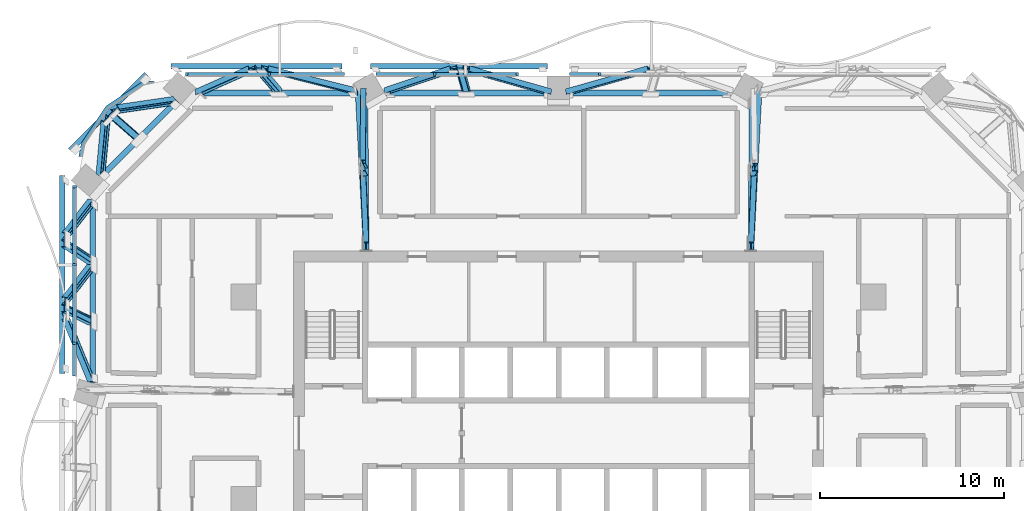
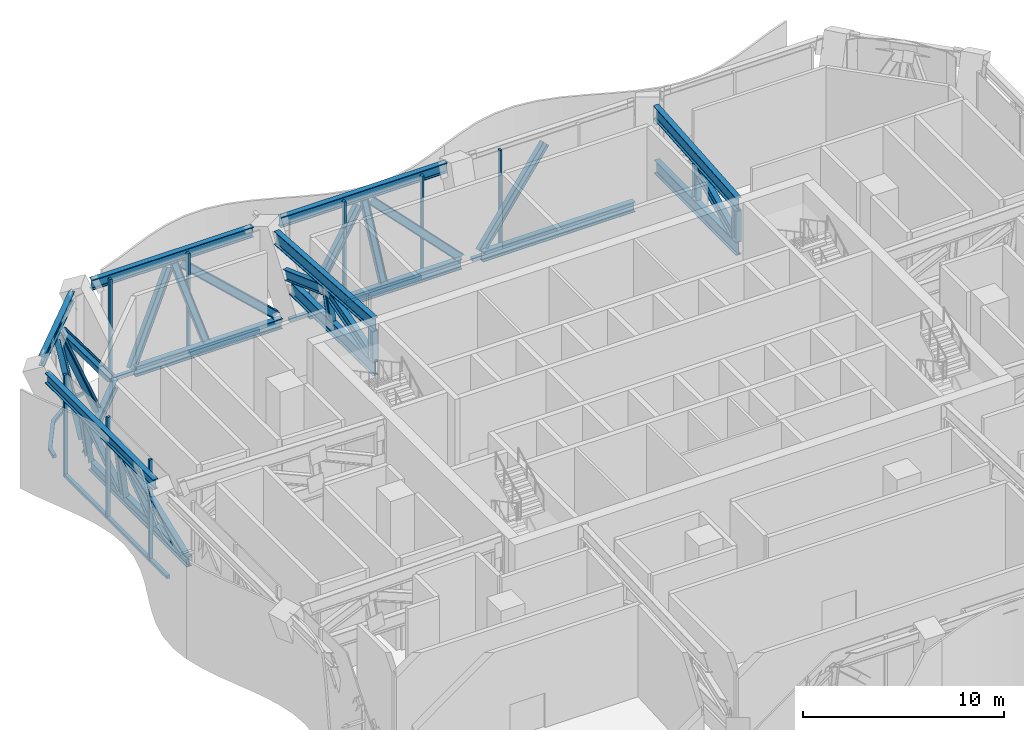
# One storey, part 5 of 26: 52 members, 3 elements without a shape of their own.
"""IFC4 building model written with IfcOpenShell, lengths in metres."""

from ifc_helpers import new_model, si_unit, direction, frame, origin, origin_2d, place, context, subcontext, project, spatial, polyline, rectangle, i_section, outline, extrude, material, material_profile, profile_set, type_object, element, aggregate, save


model = new_model("IFC4")

# Units and contexts
model_context = context("Model", 3, precision=1e-05, world=origin(), true_north=direction((0.0, 1.0)))
body_context = subcontext(model_context, "Body", "Model", "MODEL_VIEW")
ifc_project = project(units=[si_unit("LENGTHUNIT", "METRE"), si_unit("AREAUNIT", "SQUARE_METRE"), si_unit("VOLUMEUNIT", "CUBIC_METRE"), si_unit("PLANEANGLEUNIT", "RADIAN"), si_unit("MASSUNIT", "GRAM", prefix="KILO")], contexts=[model_context])

# Site, building, storey
site_placement = place(None, origin())
site = spatial("IfcSite", under=ifc_project, at=site_placement, CompositionType="ELEMENT")
building_placement = place(site_placement, origin())
building = spatial("IfcBuilding", under=site, at=building_placement, Name="Mopane Tessera Tower", CompositionType="ELEMENT")
storey_placement = place(building_placement, frame((0.0, 0.0, 205.0)))
storey = spatial("IfcBuildingStorey", under=building, at=storey_placement, Name="L43", CompositionType="ELEMENT", Elevation=205.0)

# Curtain wall, members
ifc_material_1 = material(Name="Aluminium frame", Category="aluminium")
curtain_wall_type = type_object("IfcCurtainWallType", Name="Plant floor unitised wall", PredefinedType="NOTDEFINED", material=ifc_material_1)
curtain_wall_1_placement = place(storey_placement, origin())
curtain_wall_1 = element("IfcCurtainWall", 1, at=curtain_wall_1_placement, inside=storey, type_object=curtain_wall_type, Name="e:cw:L43:N:0", PredefinedType="NOTDEFINED")
ifc_material_2 = material(Name="Aluminium frame", Category="aluminium")
ifc_material_profile_1 = material_profile(ifc_material_2, rectangle(XDim=0.139892578125, YDim=0.199951171875, at=origin_2d()))
ifc_profile_set_1 = profile_set([ifc_material_profile_1], Name="Aluminium frame")
member_type_1 = type_object("IfcMemberType", Name="Aluminium mullion 140 x 200", PredefinedType="MULLION", material=ifc_profile_set_1)
member_1_placement = place(storey_placement, frame((2.244384765625, 23.10009765625, -0.60009765625), z_axis=(0.0, 0.0, 1.0), x_axis=(-1.0, 0.0, 0.0)))
member_1 = element("IfcMember", 2, at=member_1_placement, type_object=member_type_1, Name="e:cw:L43:N:0:mu4", PredefinedType="MULLION", context=body_context, shape_type="SweptSolid", body=[
    extrude(rectangle(XDim=0.139892578125, YDim=0.199951171875, at=origin_2d()), origin(), (0.0, 0.0, 1.0), 6.2001953125),
])
member_2_placement = place(storey_placement, frame((-2.244384765625, 23.10009765625, -0.60009765625), z_axis=(0.0, 0.0, 1.0), x_axis=(-1.0, 0.0, 0.0)))
member_2 = element("IfcMember", 3, at=member_2_placement, type_object=member_type_1, Name="e:cw:L43:N:0:mu5", PredefinedType="MULLION", context=body_context, shape_type="SweptSolid", body=[
    extrude(rectangle(XDim=0.139892578125, YDim=0.199951171875, at=origin_2d()), origin(), (0.0, 0.0, 1.0), 6.2001953125),
])
member_3_placement = place(storey_placement, frame((-6.7333984375, 23.10009765625, -0.60009765625), z_axis=(0.0, 0.0, 1.0), x_axis=(-1.0, 0.0, 0.0)))
member_3 = element("IfcMember", 4, at=member_3_placement, type_object=member_type_1, Name="e:cw:L43:N:0:mu6", PredefinedType="MULLION", context=body_context, shape_type="SweptSolid", body=[
    extrude(rectangle(XDim=0.139892578125, YDim=0.199951171875, at=origin_2d()), origin(), (0.0, 0.0, 1.0), 6.2001953125),
])
member_4_placement = place(storey_placement, frame((-15.711181640625, 23.10009765625, -0.60009765625), z_axis=(0.0, 0.0, 1.0), x_axis=(-1.0, 0.0, 0.0)))
member_4 = element("IfcMember", 5, at=member_4_placement, type_object=member_type_1, Name="e:cw:L43:N:0:mu8", PredefinedType="MULLION", context=body_context, shape_type="SweptSolid", body=[
    extrude(rectangle(XDim=0.139892578125, YDim=0.199951171875, at=origin_2d()), origin(), (0.0, 0.0, 1.0), 6.2001953125),
])
member_5_placement = place(storey_placement, frame((-20.199951171875, 23.10009765625, -0.60009765625), z_axis=(0.0, 0.0, 1.0), x_axis=(-1.0, 0.0, 0.0)))
member_5 = element("IfcMember", 6, at=member_5_placement, type_object=member_type_1, Name="e:cw:L43:N:0:mu9", PredefinedType="MULLION", context=body_context, shape_type="SweptSolid", body=[
    extrude(rectangle(XDim=0.139892578125, YDim=0.199951171875, at=origin_2d()), origin(), (0.0, 0.0, 1.0), 6.2001953125),
])

curtain_wall_2_placement = place(storey_placement, origin())
curtain_wall_2 = element("IfcCurtainWall", 7, at=curtain_wall_2_placement, inside=storey, type_object=curtain_wall_type, Name="e:cw:L43:W:0", PredefinedType="NOTDEFINED")
member_6_placement = place(storey_placement, frame((-26.300048828125, 17.0, -0.60009765625), z_axis=(0.0, 0.0, 1.0), x_axis=(0.0, -1.0, 0.0)))
member_6 = element("IfcMember", 8, at=member_6_placement, type_object=member_type_1, Name="e:cw:L43:W:0:mu0", PredefinedType="MULLION", context=body_context, shape_type="SweptSolid", body=[
    extrude(rectangle(XDim=0.139892578125, YDim=0.199951171875, at=origin_2d()), origin(), (0.0, 0.0, 1.0), 6.2001953125),
])
member_7_placement = place(storey_placement, frame((-26.300048828125, 12.75, -0.60009765625), z_axis=(0.0, 0.0, 1.0), x_axis=(0.0, -1.0, 0.0)))
member_7 = element("IfcMember", 9, at=member_7_placement, type_object=member_type_1, Name="e:cw:L43:W:0:mu1", PredefinedType="MULLION", context=body_context, shape_type="SweptSolid", body=[
    extrude(rectangle(XDim=0.139892578125, YDim=0.199951171875, at=origin_2d()), origin(), (0.0, 0.0, 1.0), 6.2001953125),
])
member_8_placement = place(storey_placement, frame((-26.300048828125, 8.5, -0.60009765625), z_axis=(0.0, 0.0, 1.0), x_axis=(0.0, -1.0, 0.0)))
member_8 = element("IfcMember", 10, at=member_8_placement, type_object=member_type_1, Name="e:cw:L43:W:0:mu2", PredefinedType="MULLION", context=body_context, shape_type="SweptSolid", body=[
    extrude(rectangle(XDim=0.139892578125, YDim=0.199951171875, at=origin_2d()), origin(), (0.0, 0.0, 1.0), 6.2001953125),
])

# Member
ifc_material_3 = material(Name="Aluminium frame", Category="aluminium")
ifc_material_profile_2 = material_profile(ifc_material_3, rectangle(XDim=0.199951171875, YDim=0.179931640625, at=origin_2d()))
ifc_profile_set_2 = profile_set([ifc_material_profile_2], Name="Aluminium frame")
member_type_2 = type_object("IfcMemberType", Name="Aluminium transom 200 x 180", PredefinedType="USERDEFINED", material=ifc_profile_set_2)
member_9_placement = place(storey_placement, frame((2.174560546875, 23.10009765625, -0.510009765625), z_axis=(-1.0, 0.0, 0.0), x_axis=(0.0, -1.0, 0.0)))
member_9 = element("IfcMember", 11, at=member_9_placement, type_object=member_type_2, Name="e:cw:L43:N:0:tr4", ObjectType="TRANSOM", PredefinedType="USERDEFINED", context=body_context, shape_type="SweptSolid", body=[
    extrude(rectangle(XDim=0.199951171875, YDim=0.179931640625, at=origin_2d()), origin(), (0.0, 0.0, 1.0), 1.574462890625),
])

member_10_placement = place(storey_placement, frame((-2.314453125, 23.10009765625, -0.510009765625), z_axis=(-1.0, 0.0, 0.0), x_axis=(0.0, -1.0, 0.0)))
member_10 = element("IfcMember", 12, at=member_10_placement, type_object=member_type_2, Name="e:cw:L43:N:0:tr5", ObjectType="TRANSOM", PredefinedType="USERDEFINED", context=body_context, shape_type="SweptSolid", body=[
    extrude(rectangle(XDim=0.199951171875, YDim=0.179931640625, at=origin_2d()), origin(), (0.0, 0.0, 1.0), 4.348876953125),
])

member_11_placement = place(storey_placement, frame((-6.80322265625, 23.10009765625, -0.510009765625), z_axis=(-1.0, 0.0, 0.0), x_axis=(0.0, -1.0, 0.0)))
member_11 = element("IfcMember", 13, at=member_11_placement, type_object=member_type_2, Name="e:cw:L43:N:0:tr6", ObjectType="TRANSOM", PredefinedType="USERDEFINED", context=body_context, shape_type="SweptSolid", body=[
    extrude(rectangle(XDim=0.199951171875, YDim=0.179931640625, at=origin_2d()), origin(), (0.0, 0.0, 1.0), 3.109619140625),
])

member_12_placement = place(storey_placement, frame((-11.633544921875, 23.10009765625, -0.510009765625), z_axis=(-1.0, 0.0, 0.0), x_axis=(0.0, -1.0, 0.0)))
member_12 = element("IfcMember", 14, at=member_12_placement, type_object=member_type_2, Name="e:cw:L43:N:0:tr7", ObjectType="TRANSOM", PredefinedType="USERDEFINED", context=body_context, shape_type="SweptSolid", body=[
    extrude(rectangle(XDim=0.199951171875, YDim=0.179931640625, at=origin_2d()), origin(), (0.0, 0.0, 1.0), 4.007568359375),
])

member_13_placement = place(storey_placement, frame((-15.781005859375, 23.10009765625, -0.510009765625), z_axis=(-1.0, 0.0, 0.0), x_axis=(0.0, -1.0, 0.0)))
member_13 = element("IfcMember", 15, at=member_13_placement, type_object=member_type_2, Name="e:cw:L43:N:0:tr8", ObjectType="TRANSOM", PredefinedType="USERDEFINED", context=body_context, shape_type="SweptSolid", body=[
    extrude(rectangle(XDim=0.199951171875, YDim=0.179931640625, at=origin_2d()), origin(), (0.0, 0.0, 1.0), 4.348876953125),
])

aggregate(curtain_wall_1, [member_1, member_2, member_3, member_4, member_5, member_9, member_10, member_11, member_12, member_13])

# Curtain wall, member
curtain_wall_3_placement = place(storey_placement, origin())
curtain_wall_3 = element("IfcCurtainWall", 16, at=curtain_wall_3_placement, inside=storey, type_object=curtain_wall_type, Name="e:cw:L43:CN", PredefinedType="NOTDEFINED")
member_14_placement = place(storey_placement, frame((0.0, 0.0, -0.60009765625)))
member_14 = element("IfcMember", 17, at=member_14_placement, type_object=member_type_2, Name="e:cw:L43:CN:tr", ObjectType="TRANSOM", PredefinedType="USERDEFINED", context=body_context, shape_type="SweptSolid", body=[
    extrude(outline(polyline([(-24.442626953125, 21.24267578125), (-25.7431640625, 19.296142578125), (-25.875732421875, 18.630615234375), (-26.07568359375, 18.630615234375), (-25.927978515625, 19.37255859375), (-24.583984375, 21.384033203125), (-22.57275390625, 22.72802734375), (-22.322265625, 22.77783203125), (-22.322265625, 22.73193359375), (-21.977783203125, 22.73193359375), (-21.977783203125, 22.646484375), (-22.49609375, 22.543212890625), (-24.442626953125, 21.24267578125)])), origin(), (0.0, 0.0, 1.0), 0.18017578125),
])
aggregate(curtain_wall_3, [member_14])

# Member
member_15_placement = place(storey_placement, frame((-26.300048828125, 16.929931640625, -0.510009765625), z_axis=(0.0, -1.0, 0.0), x_axis=(1.0, 0.0, 0.0)))
member_15 = element("IfcMember", 18, at=member_15_placement, type_object=member_type_2, Name="e:cw:L43:W:0:tr0", ObjectType="TRANSOM", PredefinedType="USERDEFINED", context=body_context, shape_type="SweptSolid", body=[
    extrude(rectangle(XDim=0.199951171875, YDim=0.179931640625, at=origin_2d()), origin(), (0.0, 0.0, 1.0), 4.10986328125),
])

member_16_placement = place(storey_placement, frame((-26.300048828125, 12.679931640625, -0.510009765625), z_axis=(0.0, -1.0, 0.0), x_axis=(1.0, 0.0, 0.0)))
member_16 = element("IfcMember", 19, at=member_16_placement, type_object=member_type_2, Name="e:cw:L43:W:0:tr1", ObjectType="TRANSOM", PredefinedType="USERDEFINED", context=body_context, shape_type="SweptSolid", body=[
    extrude(rectangle(XDim=0.199951171875, YDim=0.179931640625, at=origin_2d()), origin(), (0.0, 0.0, 1.0), 4.10986328125),
])

member_17_placement = place(storey_placement, frame((-26.300048828125, 8.429931640625, -0.510009765625), z_axis=(0.0, -1.0, 0.0), x_axis=(1.0, 0.0, 0.0)))
member_17 = element("IfcMember", 20, at=member_17_placement, type_object=member_type_2, Name="e:cw:L43:W:0:tr2", ObjectType="TRANSOM", PredefinedType="USERDEFINED", context=body_context, shape_type="SweptSolid", body=[
    extrude(rectangle(XDim=0.199951171875, YDim=0.179931640625, at=origin_2d()), origin(), (0.0, 0.0, 1.0), 1.71923828125),
])

aggregate(curtain_wall_2, [member_6, member_7, member_8, member_15, member_16, member_17])

# Members
ifc_material_4 = material(Name="Structural steel S460", Category="steel")
ifc_material_profile_3 = material_profile(ifc_material_4, i_section(OverallWidth=0.304931640625, OverallDepth=0.6201171875, WebThickness=0.02099609375, FlangeThickness=0.0400390625, FilletRadius=0.027099609375, at=origin_2d()))
ifc_profile_set_3 = profile_set([ifc_material_profile_3], Name="Structural steel S460")
member_type_3 = type_object("IfcMemberType", Name="Belt truss chord HE 600 M", PredefinedType="CHORD", material=ifc_profile_set_3)
for number, where, z_axis, x_axis, name in (
    (21, (9.374267578125, 22.09033203125, 0.31005859375), (-1.0, 0.0, 0.0), (0.0, -1.0, 0.0), "Belt truss bottom chord L43 N1-N2"),
    (22, (-0.599609375, 22.09033203125, 0.31005859375), (-1.0, 0.0, 0.0), (0.0, -1.0, 0.0), "Belt truss bottom chord L43 N2-N3"),
):
    element("IfcMember", number, at=place(storey_placement, frame(where, z_axis=z_axis, x_axis=x_axis)), inside=storey, type_object=member_type_3, Name=name, PredefinedType="CHORD", context=body_context, shape_type="SweptSolid", body=[
        extrude(i_section(OverallWidth=0.304931640625, OverallDepth=0.6201171875, WebThickness=0.02099609375, FlangeThickness=0.0400390625, FilletRadius=0.027099609375, at=origin_2d()), origin(), (0.0, 0.0, 1.0), 8.774658203125),
    ])
member_18_placement = place(storey_placement, frame((-0.599609375, 23.54296875, 5.2900390625), z_axis=(-1.0, 0.0, 0.0), x_axis=(0.0, -1.0, 0.0)))
element("IfcMember", 23, at=member_18_placement, inside=storey, type_object=member_type_3, Name="Belt truss top chord L43 N2-N3", PredefinedType="CHORD", context=body_context, shape_type="SweptSolid", body=[
    extrude(i_section(OverallWidth=0.304931640625, OverallDepth=0.6201171875, WebThickness=0.02099609375, FlangeThickness=0.0400390625, FilletRadius=0.027099609375, at=origin_2d()), origin(), (0.0, 0.0, 1.0), 9.6044921875),
])
member_19_placement = place(storey_placement, frame((-10.929443359375, 22.09033203125, 0.31005859375), z_axis=(-1.0, 0.0, 0.0), x_axis=(0.0, -1.0, 0.0)))
element("IfcMember", 24, at=member_19_placement, inside=storey, type_object=member_type_3, Name="Belt truss bottom chord L43 N3-N4", PredefinedType="CHORD", context=body_context, shape_type="SweptSolid", body=[
    extrude(i_section(OverallWidth=0.304931640625, OverallDepth=0.6201171875, WebThickness=0.02099609375, FlangeThickness=0.0400390625, FilletRadius=0.027099609375, at=origin_2d()), origin(), (0.0, 0.0, 1.0), 8.45361328125),
])
member_20_placement = place(storey_placement, frame((-11.75927734375, 23.54296875, 5.2900390625), z_axis=(-1.0, 0.0, 0.0), x_axis=(0.0, -1.0, 0.0)))
element("IfcMember", 25, at=member_20_placement, inside=storey, type_object=member_type_3, Name="Belt truss top chord L43 N3-N4", PredefinedType="CHORD", context=body_context, shape_type="SweptSolid", body=[
    extrude(i_section(OverallWidth=0.304931640625, OverallDepth=0.6201171875, WebThickness=0.02099609375, FlangeThickness=0.0400390625, FilletRadius=0.027099609375, at=origin_2d()), origin(), (0.0, 0.0, 1.0), 9.28369140625),
])
for number, where, z_axis, x_axis, name in (
    (26, (-20.7353515625, 21.658447265625, 0.31005859375), (-0.707106781187, -0.707106781187, 0.0), (0.707106781187, -0.707106781187, 0.0), "Belt truss bottom chord L43 N4-W0"),
    (27, (-22.395263671875, 23.11083984375, 5.2900390625), (-0.707106781187, -0.707106781187, 0.0), (0.707106781187, -0.707106781187, 0.0), "Belt truss top chord L43 N4-W0"),
):
    element("IfcMember", number, at=place(storey_placement, frame(where, z_axis=z_axis, x_axis=x_axis)), inside=storey, type_object=member_type_3, Name=name, PredefinedType="CHORD", context=body_context, shape_type="SweptSolid", body=[
        extrude(i_section(OverallWidth=0.304931640625, OverallDepth=0.6201171875, WebThickness=0.02099609375, FlangeThickness=0.0400390625, FilletRadius=0.027099609375, at=origin_2d()), origin(), (0.0, 0.0, 1.0), 5.84912109375),
    ])
member_21_placement = place(storey_placement, frame((-25.30322265625, 16.160400390625, 0.31005859375), z_axis=(0.0, -1.0, 0.0), x_axis=(1.0, 0.0, 0.0)))
element("IfcMember", 28, at=member_21_placement, inside=storey, type_object=member_type_3, Name="Belt truss bottom chord L43 W0-W1", PredefinedType="CHORD", context=body_context, shape_type="SweptSolid", body=[
    extrude(i_section(OverallWidth=0.304931640625, OverallDepth=0.6201171875, WebThickness=0.02099609375, FlangeThickness=0.0400390625, FilletRadius=0.027099609375, at=origin_2d()), origin(), (0.0, 0.0, 1.0), 9.794677734375),
])
member_22_placement = place(storey_placement, frame((-26.96337890625, 17.61279296875, 5.2900390625), z_axis=(0.0, -1.0, 0.0), x_axis=(1.0, 0.0, 0.0)))
element("IfcMember", 29, at=member_22_placement, inside=storey, type_object=member_type_3, Name="Belt truss top chord L43 W0-W1", PredefinedType="CHORD", context=body_context, shape_type="SweptSolid", body=[
    extrude(i_section(OverallWidth=0.304931640625, OverallDepth=0.6201171875, WebThickness=0.02099609375, FlangeThickness=0.0400390625, FilletRadius=0.027099609375, at=origin_2d()), origin(), (0.0, 0.0, 1.0), 10.762939453125),
])
ifc_material_5 = material(Name="Structural steel S460", Category="steel")
ifc_material_profile_4 = material_profile(ifc_material_5, i_section(OverallWidth=0.300048828125, OverallDepth=0.449951171875, WebThickness=0.013916015625, FlangeThickness=0.02587890625, FilletRadius=0.027099609375, at=origin_2d()))
ifc_profile_set_4 = profile_set([ifc_material_profile_4], Name="Structural steel S460")
member_type_4 = type_object("IfcMemberType", Name="Belt truss diagonal HE 450 B", PredefinedType="BRACE", material=ifc_profile_set_4)
for number, where, z_axis, x_axis, name in (
    (30, (4.99853515625, 23.415771484375, 4.854248046875), (-0.704324995603, -0.198756842381, -0.68148515624), (0.142830661194, -0.980048834223, 0.138216079967), "Belt truss diagonal 1 L43 N1-N2"),
    (31, (-0.549072265625, 22.16015625, 0.549072265625), (-0.704324995603, 0.198756842381, 0.68148515624), (-0.142830661194, -0.980048834223, 0.138216079967), "Belt truss diagonal 0 L43 N2-N3"),
):
    element("IfcMember", number, at=place(storey_placement, frame(where, z_axis=z_axis, x_axis=x_axis)), inside=storey, type_object=member_type_4, Name=name, PredefinedType="BRACE", context=body_context, shape_type="SweptSolid", body=[
        extrude(i_section(OverallWidth=0.300048828125, OverallDepth=0.449951171875, WebThickness=0.013916015625, FlangeThickness=0.02587890625, FilletRadius=0.027099609375, at=origin_2d()), origin(), (0.0, 0.0, 1.0), 6.3173828125),
    ])
member_23_placement = place(storey_placement, frame((-5.718994140625, 23.415771484375, 4.854248046875), z_axis=(-0.64225685796, -0.214610338975, -0.735831863137), x_axis=(0.14112011445, -0.976699750378, 0.161687077122)))
element("IfcMember", 32, at=member_23_placement, inside=storey, type_object=member_type_4, Name="Belt truss diagonal 1 L43 N2-N3", PredefinedType="BRACE", context=body_context, shape_type="SweptSolid", body=[
    extrude(i_section(OverallWidth=0.300048828125, OverallDepth=0.449951171875, WebThickness=0.013916015625, FlangeThickness=0.02587890625, FilletRadius=0.027099609375, at=origin_2d()), origin(), (0.0, 0.0, 1.0), 5.583251953125),
])
member_24_placement = place(storey_placement, frame((-11.147216796875, 22.21630859375, 0.741455078125), z_axis=(-0.74405429857, 0.187049994396, 0.641401200791), x_axis=(-0.141659023539, -0.982350395202, 0.12214917968)))
element("IfcMember", 33, at=member_24_placement, inside=storey, type_object=member_type_4, Name="Belt truss diagonal 0 L43 N3-N4", PredefinedType="BRACE", context=body_context, shape_type="SweptSolid", body=[
    extrude(i_section(OverallWidth=0.300048828125, OverallDepth=0.449951171875, WebThickness=0.013916015625, FlangeThickness=0.02587890625, FilletRadius=0.027099609375, at=origin_2d()), origin(), (0.0, 0.0, 1.0), 6.4189453125),
])
member_25_placement = place(storey_placement, frame((-16.65283203125, 23.4169921875, 4.858642578125), z_axis=(-0.534125013888, -0.236708353541, -0.811590798927), x_axis=(0.130133902201, -0.97158075081, 0.197727115374)))
element("IfcMember", 34, at=member_25_placement, inside=storey, type_object=member_type_4, Name="Belt truss diagonal 1 L43 N3-N4", PredefinedType="BRACE", context=body_context, shape_type="SweptSolid", body=[
    extrude(i_section(OverallWidth=0.300048828125, OverallDepth=0.449951171875, WebThickness=0.013916015625, FlangeThickness=0.02587890625, FilletRadius=0.027099609375, at=origin_2d()), origin(), (0.0, 0.0, 1.0), 5.421142578125),
])
member_26_placement = place(storey_placement, frame((-20.988525390625, 21.64599609375, 0.695068359375), z_axis=(-0.588337593161, -0.085800203806, 0.80405049686), x_axis=(0.532813929341, -0.789099900019, 0.305664300322)))
element("IfcMember", 35, at=member_26_placement, inside=storey, type_object=member_type_4, Name="Belt truss diagonal 0 L43 N4-W0", PredefinedType="BRACE", context=body_context, shape_type="SweptSolid", body=[
    extrude(i_section(OverallWidth=0.300048828125, OverallDepth=0.449951171875, WebThickness=0.013916015625, FlangeThickness=0.02587890625, FilletRadius=0.027099609375, at=origin_2d()), origin(), (0.0, 0.0, 1.0), 5.235595703125),
])
member_27_placement = place(storey_placement, frame((-24.60107421875, 20.66455078125, 4.90478515625), z_axis=(-0.053479155953, -0.567155505062, -0.821872625749), x_axis=(0.779769071983, -0.53785629451, 0.32042284693)))
element("IfcMember", 36, at=member_27_placement, inside=storey, type_object=member_type_4, Name="Belt truss diagonal 1 L43 N4-W0", PredefinedType="BRACE", context=body_context, shape_type="SweptSolid", body=[
    extrude(i_section(OverallWidth=0.300048828125, OverallDepth=0.449951171875, WebThickness=0.013916015625, FlangeThickness=0.02587890625, FilletRadius=0.027099609375, at=origin_2d()), origin(), (0.0, 0.0, 1.0), 5.1220703125),
])
member_28_placement = place(storey_placement, frame((-25.436279296875, 16.102783203125, 0.708984375), z_axis=(-0.292684281038, -0.378746786794, 0.878001584922), x_axis=(0.9562091341, -0.115986684967, 0.268721381312)))
element("IfcMember", 37, at=member_28_placement, inside=storey, type_object=member_type_4, Name="Belt truss diagonal 0 L43 W0-W1", PredefinedType="BRACE", context=body_context, shape_type="SweptSolid", body=[
    extrude(i_section(OverallWidth=0.300048828125, OverallDepth=0.449951171875, WebThickness=0.013916015625, FlangeThickness=0.02587890625, FilletRadius=0.027099609375, at=origin_2d()), origin(), (0.0, 0.0, 1.0), 4.762939453125),
])
member_29_placement = place(storey_placement, frame((-25.43359375, 12.606689453125, 0.700927734375), z_axis=(-0.292465810792, -0.380430056746, 0.877346409032), x_axis=(0.956275976822, -0.116422330726, 0.268294795071)))
element("IfcMember", 38, at=member_29_placement, inside=storey, type_object=member_type_4, Name="Belt truss diagonal 1 L43 W0-W1", PredefinedType="BRACE", context=body_context, shape_type="SweptSolid", body=[
    extrude(i_section(OverallWidth=0.300048828125, OverallDepth=0.449951171875, WebThickness=0.013916015625, FlangeThickness=0.02587890625, FilletRadius=0.027099609375, at=origin_2d()), origin(), (0.0, 0.0, 1.0), 4.784912109375),
])
member_30_placement = place(storey_placement, frame((-26.830322265625, 9.988525390625, 4.890869140625), z_axis=(0.250092587461, -0.612047953972, -0.750233963331), x_axis=(0.968221925622, 0.158109369998, 0.193772366101)))
element("IfcMember", 39, at=member_30_placement, inside=storey, type_object=member_type_4, Name="Belt truss diagonal 2 L43 W0-W1", PredefinedType="BRACE", context=body_context, shape_type="SweptSolid", body=[
    extrude(i_section(OverallWidth=0.300048828125, OverallDepth=0.449951171875, WebThickness=0.013916015625, FlangeThickness=0.02587890625, FilletRadius=0.027099609375, at=origin_2d()), origin(), (0.0, 0.0, 1.0), 5.57421875),
])
ifc_material_6 = material(Name="Structural steel S460", Category="steel")
ifc_material_profile_5 = material_profile(ifc_material_6, i_section(OverallWidth=0.300048828125, OverallDepth=0.39990234375, WebThickness=0.013427734375, FlangeThickness=0.02392578125, FilletRadius=0.027099609375, at=origin_2d()))
ifc_profile_set_5 = profile_set([ifc_material_profile_5], Name="Structural steel S460")
member_type_5 = type_object("IfcMemberType", Name="Belt truss post HE 400 B", PredefinedType="POST", material=ifc_profile_set_5)
member_31_placement = place(storey_placement, frame((-5.01220703125, 22.180908203125, 0.6201171875), z_axis=(-0.078352417784, 0.279110391122, 0.957057097667), x_axis=(-0.022756629469, -0.960259021976, 0.278181139779)))
element("IfcMember", 40, at=member_31_placement, inside=storey, type_object=member_type_5, Name="Belt truss post 1 L43 N2-N3", PredefinedType="POST", context=body_context, shape_type="SweptSolid", body=[
    extrude(i_section(OverallWidth=0.300048828125, OverallDepth=0.39990234375, WebThickness=0.013427734375, FlangeThickness=0.02392578125, FilletRadius=0.027099609375, at=origin_2d()), origin(), (0.0, 0.0, 1.0), 4.555419921875),
])
member_32_placement = place(storey_placement, frame((-15.2333984375, 22.180908203125, 0.6201171875), z_axis=(-0.232361267944, 0.272308164593, 0.933732565918), x_axis=(-0.065661907307, -0.962210088415, 0.264273077858)))
element("IfcMember", 41, at=member_32_placement, inside=storey, type_object=member_type_5, Name="Belt truss post 1 L43 N3-N4", PredefinedType="POST", context=body_context, shape_type="SweptSolid", body=[
    extrude(i_section(OverallWidth=0.300048828125, OverallDepth=0.39990234375, WebThickness=0.013427734375, FlangeThickness=0.02392578125, FilletRadius=0.027099609375, at=origin_2d()), origin(), (0.0, 0.0, 1.0), 4.669189453125),
])
member_33_placement = place(storey_placement, frame((-22.90673828125, 19.680908203125, 0.6201171875), z_axis=(-0.304747191125, 0.266653792234, 0.914343974984), x_axis=(0.638405437369, -0.655233196954, 0.403866258985)))
element("IfcMember", 42, at=member_33_placement, inside=storey, type_object=member_type_5, Name="Belt truss post 1 L43 N4-W0", PredefinedType="POST", context=body_context, shape_type="SweptSolid", body=[
    extrude(i_section(OverallWidth=0.300048828125, OverallDepth=0.39990234375, WebThickness=0.013427734375, FlangeThickness=0.02392578125, FilletRadius=0.027099609375, at=origin_2d()), origin(), (0.0, 0.0, 1.0), 4.768310546875),
])
member_34_placement = place(storey_placement, frame((-25.40673828125, 12.9638671875, 0.6201171875), z_axis=(-0.309522043948, 0.204371914098, 0.928670137906), x_axis=(0.950892266512, 0.066480921582, 0.302298171602)))
element("IfcMember", 43, at=member_34_placement, inside=storey, type_object=member_type_5, Name="Belt truss post 1 L43 W0-W1", PredefinedType="POST", context=body_context, shape_type="SweptSolid", body=[
    extrude(i_section(OverallWidth=0.300048828125, OverallDepth=0.39990234375, WebThickness=0.013427734375, FlangeThickness=0.02392578125, FilletRadius=0.027099609375, at=origin_2d()), origin(), (0.0, 0.0, 1.0), 4.69482421875),
])
member_35_placement = place(storey_placement, frame((-25.40673828125, 9.681640625, 0.6201171875), z_axis=(-0.312421061846, 0.154058436915, 0.937368165733), x_axis=(0.94994372346, 0.050616707484, 0.308293482225)))
element("IfcMember", 44, at=member_35_placement, inside=storey, type_object=member_type_5, Name="Belt truss post 2 L43 W0-W1", PredefinedType="POST", context=body_context, shape_type="SweptSolid", body=[
    extrude(i_section(OverallWidth=0.300048828125, OverallDepth=0.39990234375, WebThickness=0.013427734375, FlangeThickness=0.02392578125, FilletRadius=0.027099609375, at=origin_2d()), origin(), (0.0, 0.0, 1.0), 4.651123046875),
])
ifc_material_7 = material(Name="Structural steel S460", Category="steel")
ifc_material_profile_6 = material_profile(ifc_material_7, i_section(OverallWidth=0.302978515625, OverallDepth=0.81396484375, WebThickness=0.02099609375, FlangeThickness=0.0400390625, FilletRadius=0.030029296875, at=origin_2d()))
ifc_profile_set_6 = profile_set([ifc_material_profile_6], Name="Structural steel S460")
member_type_6 = type_object("IfcMemberType", Name="Outrigger truss chord HE 800 M", PredefinedType="CHORD", material=ifc_profile_set_6)
member_36_placement = place(storey_placement, frame((10.4501953125, 13.515625, 2.507080078125), z_axis=(0.007358391712, 0.999972926669, 0.0), x_axis=(-0.999972926669, 0.007358391712, 0.0)))
element("IfcMember", 45, at=member_36_placement, inside=storey, type_object=member_type_6, Name="Outrigger truss bottom chord L43 N1", PredefinedType="CHORD", context=body_context, shape_type="SweptSolid", body=[
    extrude(i_section(OverallWidth=0.302978515625, OverallDepth=0.81396484375, WebThickness=0.02099609375, FlangeThickness=0.0400390625, FilletRadius=0.030029296875, at=origin_2d()), origin(), (0.0, 0.0, 1.0), 8.261474609375),
])
member_37_placement = place(storey_placement, frame((10.450927734375, 13.515625, 5.193115234375), z_axis=(0.051399977988, 0.998678147484, 0.0), x_axis=(-0.998678147484, 0.051399977988, 0.0)))
element("IfcMember", 46, at=member_37_placement, inside=storey, type_object=member_type_6, Name="Outrigger truss top chord L43 N1", PredefinedType="CHORD", context=body_context, shape_type="SweptSolid", body=[
    extrude(i_section(OverallWidth=0.302978515625, OverallDepth=0.81396484375, WebThickness=0.02099609375, FlangeThickness=0.0400390625, FilletRadius=0.030029296875, at=origin_2d()), origin(), (0.0, 0.0, 1.0), 9.0673828125),
])
member_38_placement = place(storey_placement, frame((-10.4501953125, 13.515625, 2.507080078125), z_axis=(-0.007358391712, 0.999972926669, 0.0), x_axis=(-0.999972926669, -0.007358391712, 0.0)))
element("IfcMember", 47, at=member_38_placement, inside=storey, type_object=member_type_6, Name="Outrigger truss bottom chord L43 N3", PredefinedType="CHORD", context=body_context, shape_type="SweptSolid", body=[
    extrude(i_section(OverallWidth=0.302978515625, OverallDepth=0.81396484375, WebThickness=0.02099609375, FlangeThickness=0.0400390625, FilletRadius=0.030029296875, at=origin_2d()), origin(), (0.0, 0.0, 1.0), 8.261474609375),
])
member_39_placement = place(storey_placement, frame((-10.450927734375, 13.515625, 5.193115234375), z_axis=(-0.051399977988, 0.998678147484, 0.0), x_axis=(-0.998678147484, -0.051399977988, 0.0)))
element("IfcMember", 48, at=member_39_placement, inside=storey, type_object=member_type_6, Name="Outrigger truss top chord L43 N3", PredefinedType="CHORD", context=body_context, shape_type="SweptSolid", body=[
    extrude(i_section(OverallWidth=0.302978515625, OverallDepth=0.81396484375, WebThickness=0.02099609375, FlangeThickness=0.0400390625, FilletRadius=0.030029296875, at=origin_2d()), origin(), (0.0, 0.0, 1.0), 9.0673828125),
])
ifc_material_8 = material(Name="Structural steel S460", Category="steel")
ifc_material_profile_7 = material_profile(ifc_material_8, i_section(OverallWidth=0.300048828125, OverallDepth=0.60009765625, WebThickness=0.015380859375, FlangeThickness=0.030029296875, FilletRadius=0.027099609375, at=origin_2d()))
ifc_profile_set_7 = profile_set([ifc_material_profile_7], Name="Structural steel S460")
member_type_7 = type_object("IfcMemberType", Name="Outrigger truss diagonal HE 600 B", PredefinedType="BRACE", material=ifc_profile_set_7)
for number, where, z_axis, x_axis, name in (
    (49, (10.46044921875, 14.04931640625, 3.17822265625), (0.041687664553, 0.938066202804, 0.343938857621), (-0.999127470679, 0.040013751705, 0.011966495293), "Outrigger truss diagonal 0 L43 N1"),
    (50, (-10.46044921875, 14.04931640625, 3.17822265625), (-0.041687664553, 0.938066202804, 0.343938857621), (-0.999127470679, -0.040013751705, -0.011966495293), "Outrigger truss diagonal 0 L43 N3"),
):
    element("IfcMember", number, at=place(storey_placement, frame(where, z_axis=z_axis, x_axis=x_axis)), inside=storey, type_object=member_type_7, Name=name, PredefinedType="BRACE", context=body_context, shape_type="SweptSolid", body=[
        extrude(i_section(OverallWidth=0.300048828125, OverallDepth=0.60009765625, WebThickness=0.015380859375, FlangeThickness=0.030029296875, FilletRadius=0.027099609375, at=origin_2d()), origin(), (0.0, 0.0, 1.0), 3.90625),
    ])
member_40_placement = place(storey_placement, frame((-10.648681640625, 18.337890625, 4.518310546875), z_axis=(0.012454054, 0.935228960765, -0.353824373787), x_axis=(-0.999919050598, 0.010726212522, -0.006844020484)))
element("IfcMember", 51, at=member_40_placement, inside=storey, type_object=member_type_7, Name="Outrigger truss diagonal 1 L43 N3", PredefinedType="BRACE", context=body_context, shape_type="SweptSolid", body=[
    extrude(i_section(OverallWidth=0.300048828125, OverallDepth=0.60009765625, WebThickness=0.015380859375, FlangeThickness=0.030029296875, FilletRadius=0.027099609375, at=origin_2d()), origin(), (0.0, 0.0, 1.0), 4.156005859375),
])
ifc_material_9 = material(Name="Structural steel S460", Category="steel")
ifc_material_profile_8 = material_profile(ifc_material_9, i_section(OverallWidth=0.300048828125, OverallDepth=0.449951171875, WebThickness=0.013916015625, FlangeThickness=0.02587890625, FilletRadius=0.027099609375, at=origin_2d()))
ifc_profile_set_8 = profile_set([ifc_material_profile_8], Name="Structural steel S460")
member_type_8 = type_object("IfcMemberType", Name="Outrigger truss post HE 450 B", PredefinedType="POST", material=ifc_profile_set_8)
member_41_placement = place(storey_placement, frame((10.45361328125, 13.74365234375, 2.9140625), z_axis=(0.004303997671, 0.007564601967, 0.999962125483), x_axis=(-0.99997567075, 0.005521851585, 0.00426228378)))
element("IfcMember", 52, at=member_41_placement, inside=storey, type_object=member_type_8, Name="Outrigger truss post 0 L43 N1", PredefinedType="POST", context=body_context, shape_type="SweptSolid", body=[
    extrude(i_section(OverallWidth=0.300048828125, OverallDepth=0.449951171875, WebThickness=0.013916015625, FlangeThickness=0.02587890625, FilletRadius=0.027099609375, at=origin_2d()), origin(), (0.0, 0.0, 1.0), 1.871826171875),
])
member_42_placement = place(storey_placement, frame((10.5126953125, 17.8134765625, 2.9140625), z_axis=(0.076044559407, 0.13301353442, 0.988192605035), x_axis=(-0.997076332775, 0.017582782623, 0.074361497935)))
element("IfcMember", 53, at=member_42_placement, inside=storey, type_object=member_type_8, Name="Outrigger truss post 1 L43 N1", PredefinedType="POST", context=body_context, shape_type="SweptSolid", body=[
    extrude(i_section(OverallWidth=0.300048828125, OverallDepth=0.449951171875, WebThickness=0.013916015625, FlangeThickness=0.02587890625, FilletRadius=0.027099609375, at=origin_2d()), origin(), (0.0, 0.0, 1.0), 1.894287109375),
])
member_43_placement = place(storey_placement, frame((-10.45361328125, 13.74365234375, 2.9140625), z_axis=(-0.004303997671, 0.007564601967, 0.999962125483), x_axis=(-0.99997567075, -0.005521851585, -0.00426228378)))
element("IfcMember", 54, at=member_43_placement, inside=storey, type_object=member_type_8, Name="Outrigger truss post 0 L43 N3", PredefinedType="POST", context=body_context, shape_type="SweptSolid", body=[
    extrude(i_section(OverallWidth=0.300048828125, OverallDepth=0.449951171875, WebThickness=0.013916015625, FlangeThickness=0.02587890625, FilletRadius=0.027099609375, at=origin_2d()), origin(), (0.0, 0.0, 1.0), 1.871826171875),
])
member_44_placement = place(storey_placement, frame((-10.5126953125, 17.8134765625, 2.9140625), z_axis=(-0.076044559407, 0.13301353442, 0.988192605035), x_axis=(-0.997076332775, -0.017582782623, -0.074361497935)))
element("IfcMember", 55, at=member_44_placement, inside=storey, type_object=member_type_8, Name="Outrigger truss post 1 L43 N3", PredefinedType="POST", context=body_context, shape_type="SweptSolid", body=[
    extrude(i_section(OverallWidth=0.300048828125, OverallDepth=0.449951171875, WebThickness=0.013916015625, FlangeThickness=0.02587890625, FilletRadius=0.027099609375, at=origin_2d()), origin(), (0.0, 0.0, 1.0), 1.894287109375),
])

save(model, "model.ifc")
